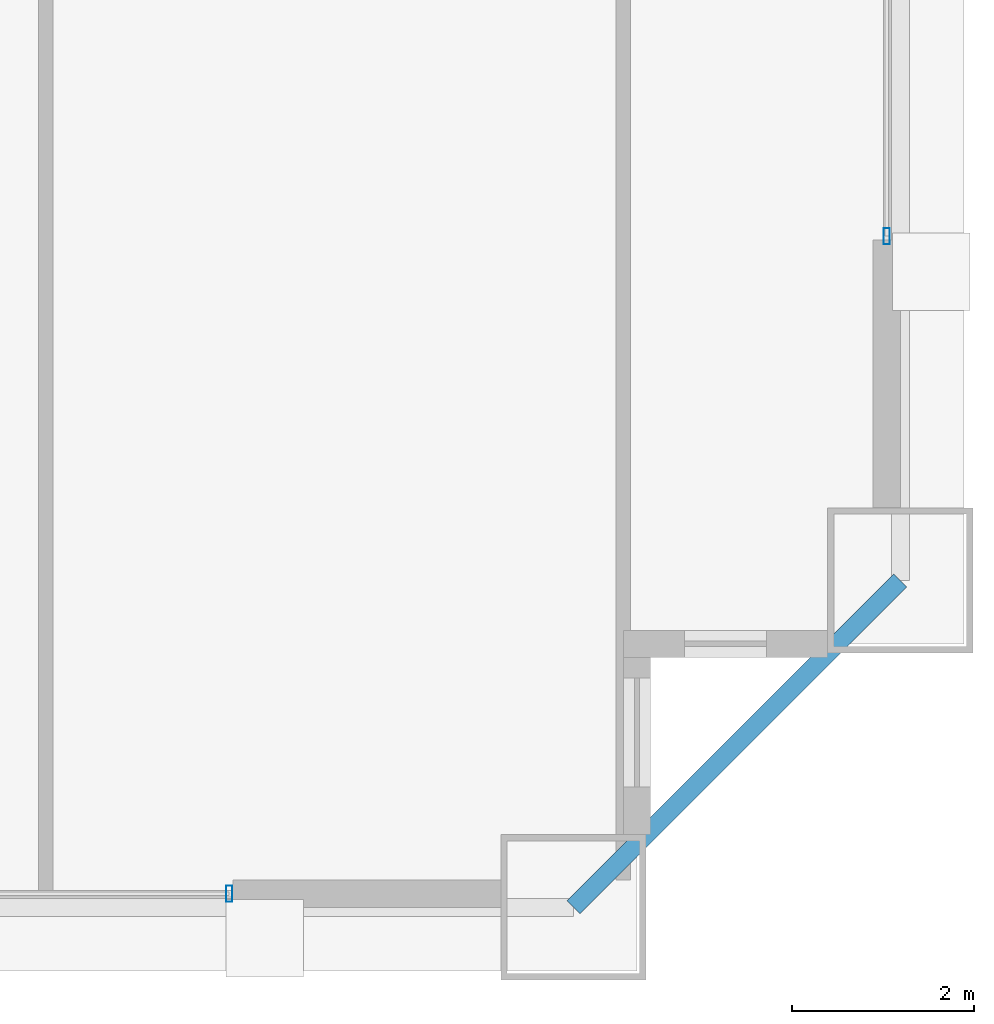
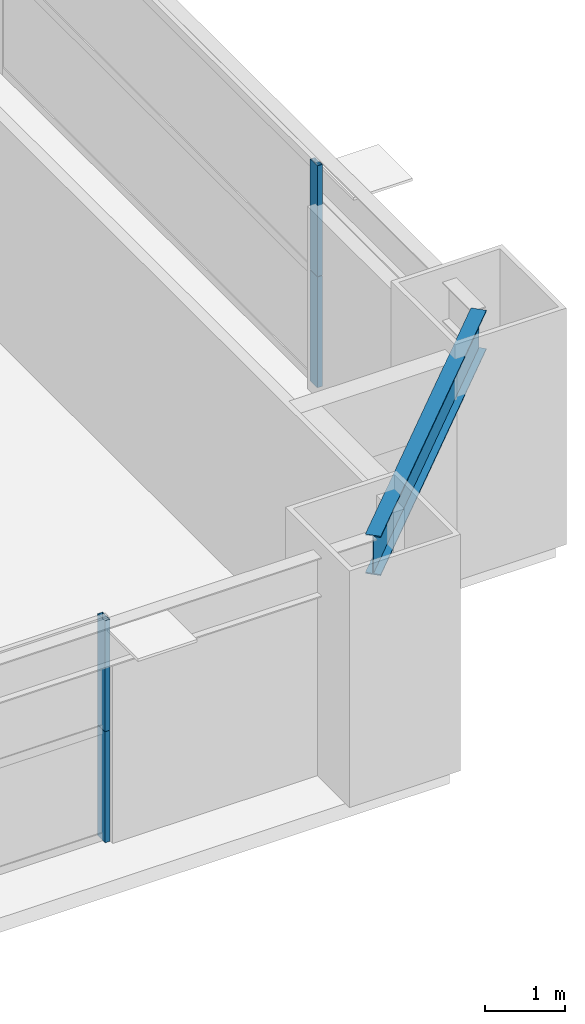
# One storey, part 15 of 38: 4 members, 1 beam, 2 elements without a shape of their own.
"""IFC4 building model written with IfcOpenShell, lengths in metres."""

from ifc_helpers import new_model, si_unit, direction, frame, origin, origin_2d, place, context, subcontext, project, spatial, hollow_rectangle, i_section, extrude, source, transform, mapped, material, layer, layer_set, material_profile, profile_set, type_object, element, aggregate, save


model = new_model("IFC4")

# Units and contexts
model_context = context("Model", 3, precision=1e-05, world=origin(), true_north=direction((0.0, 1.0)))
body_context = subcontext(model_context, "Body", "Model", "MODEL_VIEW")
ifc_project = project(units=[si_unit("LENGTHUNIT", "METRE"), si_unit("AREAUNIT", "SQUARE_METRE"), si_unit("VOLUMEUNIT", "CUBIC_METRE"), si_unit("PLANEANGLEUNIT", "RADIAN"), si_unit("MASSUNIT", "GRAM", prefix="KILO"), si_unit("THERMODYNAMICTEMPERATUREUNIT", "KELVIN"), si_unit("POWERUNIT", "WATT")], contexts=[model_context])

# Site, building, storey
site_placement = place(None, origin())
site = spatial("IfcSite", under=ifc_project, at=site_placement, CompositionType="ELEMENT")
building_placement = place(site_placement, origin())
building = spatial("IfcBuilding", under=site, at=building_placement, Name="Yuzanri Waterfront Tower", CompositionType="ELEMENT")
storey_placement = place(building_placement, frame((0.0, 0.0, 97.39990234375)))
storey = spatial("IfcBuildingStorey", under=building, at=storey_placement, Name="L25", CompositionType="ELEMENT", Elevation=97.39990234375)

# Beam
ifc_material_1 = material(Name="Steel Q355B", Category="steel")
ifc_material_profile_1 = material_profile(ifc_material_1, i_section(OverallWidth=0.199951171875, OverallDepth=0.60009765625, WebThickness=0.010986328125, FlangeThickness=0.01708984375, at=origin_2d()), Name="HN 600x200x11x17")
ifc_profile_set_1 = profile_set([ifc_material_profile_1], Name="Steel Q355B")
beam_type = type_object("IfcBeamType", Name="Perimeter Spandrel Q355B HN 600x200", PredefinedType="SPANDREL", material=ifc_profile_set_1)
shared_shape_1 = source(origin(), body_context, "Body", "SweptSolid", [
    extrude(i_section(OverallWidth=0.199951171875, OverallDepth=0.60009765625, WebThickness=0.010986328125, FlangeThickness=0.01708984375, at=origin_2d()), origin(), (0.0, 0.0, 1.0), 5.09130859375),
])
beam_placement = place(storey_placement, frame((57.0, 2.199951171875, 3.080078125), z_axis=(0.707106781187, 0.707106781187, 0.0), x_axis=(-0.707106781187, 0.707106781187, 0.0)))
element("IfcBeam", 1, at=beam_placement, inside=storey, type_object=beam_type, Name="L25 Perimeter Spandrel S3-E1", PredefinedType="SPANDREL", context=body_context, shape_type="MappedRepresentation", body=[
    mapped(shared_shape_1, transform((0.0, 0.0, 0.0), scale=1.0)),
])

# Curtain wall, members
ifc_material_2 = material(Name="Anodized Architectural Bronze", Category="metal")
ifc_layer = layer(ifc_material_2, 0.159912109375)
ifc_layer_set = layer_set([ifc_layer], Name="Anodized Architectural Bronze")
curtain_wall_type = type_object("IfcCurtainWallType", Name="Anodized Bronze Hotel Upper-Tier Solar-Control Unitized Curtain Wall 7800", PredefinedType="NOTDEFINED", material=ifc_layer_set)
curtain_wall_1_placement = place(storey_placement, origin())
curtain_wall_1 = element("IfcCurtainWall", 2, at=curtain_wall_1_placement, inside=storey, type_object=curtain_wall_type, Name="L25 Curtain Wall CW-L25-SR", PredefinedType="NOTDEFINED")
ifc_material_3 = material(Name="Anodized Architectural Bronze", Category="metal")
ifc_material_profile_2 = material_profile(ifc_material_3, hollow_rectangle(XDim=0.070068359375, YDim=0.179931640625, WallThickness=0.00390625, at=origin_2d()), Name="CWM 70x180")
ifc_profile_set_2 = profile_set([ifc_material_profile_2], Name="Anodized Architectural Bronze")
member_type = type_object("IfcMemberType", Name="Anodized Bronze Standard Curtain-Wall Mullion 70x180", PredefinedType="MULLION", material=ifc_profile_set_2)
shared_shape_2 = source(origin(), body_context, "Body", "SweptSolid", [
    extrude(hollow_rectangle(XDim=0.070068359375, YDim=0.179931640625, WallThickness=0.00390625, at=origin_2d()), origin(), (0.0, 0.0, 1.0), 1.68798828125),
])
member_1_placement = place(storey_placement, frame((53.2099609375, 2.35009765625, 0.0), z_axis=(0.0, 0.0, 1.0), x_axis=(1.0, 0.0, 0.0)))
member_1 = element("IfcMember", 3, at=member_1_placement, type_object=member_type, Name="CW-L25-SR Lower Mullion 02", PredefinedType="MULLION", context=body_context, shape_type="MappedRepresentation", body=[
    mapped(shared_shape_2, transform((0.0, 0.0, 0.0), scale=1.0)),
])
member_2_placement = place(storey_placement, frame((53.2099609375, 2.35009765625, 1.692138671875), z_axis=(0.0, 0.0, 1.0), x_axis=(1.0, 0.0, 0.0)))
member_2 = element("IfcMember", 4, at=member_2_placement, type_object=member_type, Name="CW-L25-SR Upper Mullion 02", PredefinedType="MULLION", context=body_context, shape_type="MappedRepresentation", body=[
    mapped(shared_shape_2, transform((0.0, 0.0, 0.0), scale=1.0)),
])
aggregate(curtain_wall_1, [member_1, member_2])

curtain_wall_2_placement = place(storey_placement, origin())
curtain_wall_2 = element("IfcCurtainWall", 5, at=curtain_wall_2_placement, inside=storey, type_object=curtain_wall_type, Name="L25 Curtain Wall CW-L25-EL", PredefinedType="NOTDEFINED")
member_3_placement = place(storey_placement, frame((60.449951171875, 9.590087890625, 0.0), z_axis=(0.0, 0.0, 1.0), x_axis=(1.0, 0.0, 0.0)))
member_3 = element("IfcMember", 6, at=member_3_placement, type_object=member_type, Name="CW-L25-EL Lower Mullion 00", PredefinedType="MULLION", context=body_context, shape_type="MappedRepresentation", body=[
    mapped(shared_shape_2, transform((0.0, 0.0, 0.0), scale=1.0)),
])
member_4_placement = place(storey_placement, frame((60.449951171875, 9.590087890625, 1.692138671875), z_axis=(0.0, 0.0, 1.0), x_axis=(1.0, 0.0, 0.0)))
member_4 = element("IfcMember", 7, at=member_4_placement, type_object=member_type, Name="CW-L25-EL Upper Mullion 00", PredefinedType="MULLION", context=body_context, shape_type="MappedRepresentation", body=[
    mapped(shared_shape_2, transform((0.0, 0.0, 0.0), scale=1.0)),
])
aggregate(curtain_wall_2, [member_3, member_4])

save(model, "model.ifc")
